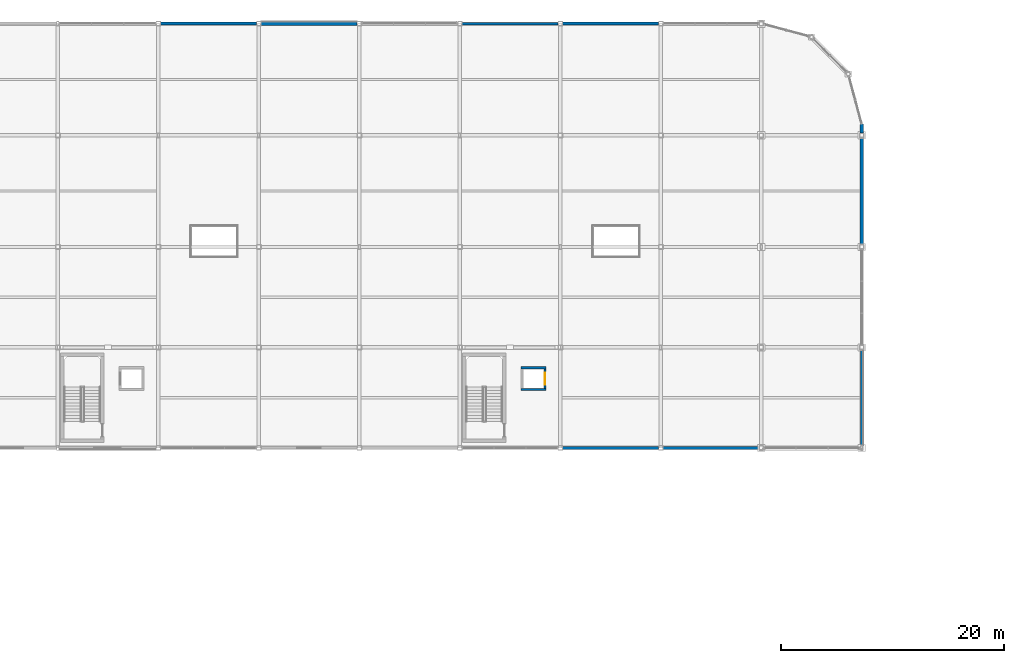
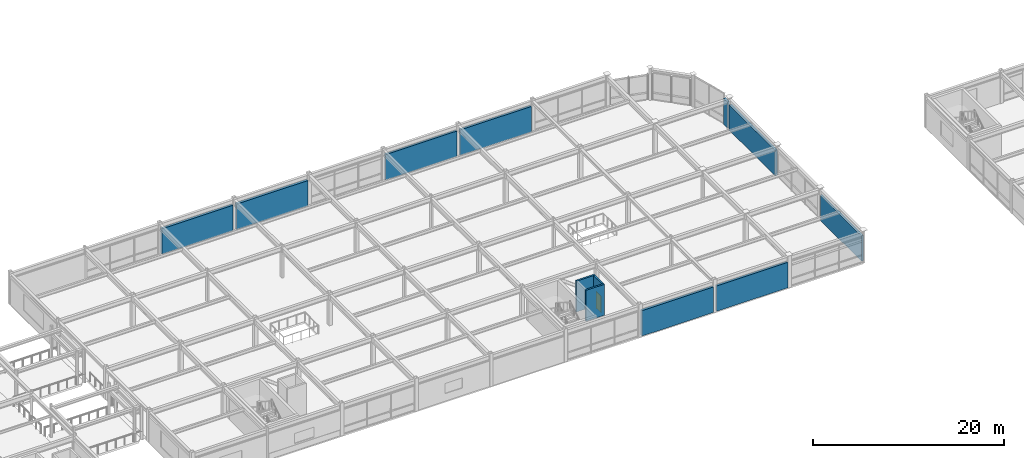
# One storey, part 48 of 70: 12 walls, 1 door, 1 opening.
"""IFC4 building model written with IfcOpenShell, lengths in metres."""

from ifc_helpers import new_model, si_unit, direction, frame, frame_2d, origin, place, context, subcontext, project, spatial, rectangle, extrude, material, layer, layer_set, type_object, element, fill, save


model = new_model("IFC4")

# Units and contexts
model_context = context("Model", 3, precision=1e-05, world=origin(), true_north=direction((0.0, 1.0)))
body_context = subcontext(model_context, "Body", "Model", "MODEL_VIEW")
ifc_project = project(units=[si_unit("LENGTHUNIT", "METRE"), si_unit("AREAUNIT", "SQUARE_METRE"), si_unit("VOLUMEUNIT", "CUBIC_METRE"), si_unit("PLANEANGLEUNIT", "RADIAN"), si_unit("MASSUNIT", "GRAM", prefix="KILO")], contexts=[model_context])

# Site, building, storey
site_placement = place(None, origin())
site = spatial("IfcSite", under=ifc_project, at=site_placement, CompositionType="ELEMENT")
building_placement = place(site_placement, origin())
building = spatial("IfcBuilding", under=site, at=building_placement, Name="Suzunagisa Mobility Hub", CompositionType="ELEMENT")
storey_placement = place(building_placement, frame((0.0, 0.0, 13.5)))
storey = spatial("IfcBuildingStorey", under=building, at=storey_placement, Name="L03", CompositionType="ELEMENT", Elevation=13.5)

# Walls
ifc_material_1 = material(Name="Porcelain-Faced Insulated Concrete C30/37 Wall", Category="concrete")
ifc_layer_1 = layer(ifc_material_1, 0.260009765625)
ifc_layer_set_1 = layer_set([ifc_layer_1], Name="Porcelain-Faced Insulated Concrete C30/37 Wall")
wall_type_1 = type_object("IfcWallType", Name="Exterior Wall EW-03 260mm", PredefinedType="SOLIDWALL", material=ifc_layer_set_1)
wall_1_placement = place(storey_placement, frame((108.199951171875, 80.0, 0.0), z_axis=(0.0, 0.0, 1.0), x_axis=(1.0, 0.0, 0.0)))
element("IfcWall", 1, at=wall_1_placement, inside=storey, type_object=wall_type_1, Name="L03 Exterior Facade Wall EW-214", PredefinedType="SOLIDWALL", context=body_context, shape_type="SweptSolid", body=[
    extrude(rectangle(XDim=8.60009765625, YDim=0.260009765625, at=frame_2d((4.300048828125, 0.0))), origin(), (0.0, 0.0, 1.0), 3.239990234375),
])
wall_2_placement = place(storey_placement, frame((107.800048828125, 118.0, 0.0), z_axis=(0.0, 0.0, 1.0), x_axis=(-1.0, 0.0, 0.0)))
element("IfcWall", 2, at=wall_2_placement, inside=storey, type_object=wall_type_1, Name="L03 Exterior Facade Wall EW-218", PredefinedType="SOLIDWALL", context=body_context, shape_type="SweptSolid", body=[
    extrude(rectangle(XDim=8.60009765625, YDim=0.260009765625, at=frame_2d((4.300048828125, 0.0))), origin(), (0.0, 0.0, 1.0), 3.25),
])
ifc_material_2 = material(Name="Lightweight Insulated Autoclaved Concrete C30/37 Wall", Category="concrete")
ifc_layer_2 = layer(ifc_material_2, 0.239990234375)
ifc_layer_set_2 = layer_set([ifc_layer_2], Name="Lightweight Insulated Autoclaved Concrete C30/37 Wall")
wall_type_2 = type_object("IfcWallType", Name="Exterior Wall EW-04 240mm", PredefinedType="SOLIDWALL", material=ifc_layer_set_2)
wall_3_placement = place(storey_placement, frame((126.0, 80.199951171875, 0.0), z_axis=(0.0, 0.0, 1.0), x_axis=(0.0, 1.0, 0.0)))
element("IfcWall", 3, at=wall_3_placement, inside=storey, type_object=wall_type_2, Name="L03 Exterior Facade Wall EW-215", PredefinedType="SOLIDWALL", context=body_context, shape_type="SweptSolid", body=[
    extrude(rectangle(XDim=8.60009765625, YDim=0.239990234375, at=frame_2d((4.300048828125, 0.0))), origin(), (0.0, 0.0, 1.0), 3.239990234375),
])
wall_4_placement = place(storey_placement, frame((98.800048828125, 118.0, 0.0), z_axis=(0.0, 0.0, 1.0), x_axis=(-1.0, 0.0, 0.0)))
element("IfcWall", 4, at=wall_4_placement, inside=storey, type_object=wall_type_2, Name="L03 Exterior Facade Wall EW-219", PredefinedType="SOLIDWALL", context=body_context, shape_type="SweptSolid", body=[
    extrude(rectangle(XDim=8.60009765625, YDim=0.239990234375, at=frame_2d((4.300048828125, 0.0))), origin(), (0.0, 0.0, 1.0), 3.25),
])
ifc_layer_3 = layer(ifc_material_1, 0.280029296875)
ifc_layer_set_3 = layer_set([ifc_layer_3], Name="Porcelain-Faced Insulated Concrete C30/37 Wall")
wall_type_3 = type_object("IfcWallType", Name="Exterior Wall EW-08 280mm", PredefinedType="SOLIDWALL", material=ifc_layer_set_3)
wall_5_placement = place(storey_placement, frame((99.199951171875, 80.0, 0.0), z_axis=(0.0, 0.0, 1.0), x_axis=(1.0, 0.0, 0.0)))
element("IfcWall", 5, at=wall_5_placement, inside=storey, type_object=wall_type_3, Name="L03 Exterior Facade Wall EW-213", PredefinedType="SOLIDWALL", context=body_context, shape_type="SweptSolid", body=[
    extrude(rectangle(XDim=8.60009765625, YDim=0.280029296875, at=frame_2d((4.300048828125, 0.0))), origin(), (0.0, 0.0, 1.0), 3.25),
])
wall_6_placement = place(storey_placement, frame((126.0, 108.199951171875, 0.0), z_axis=(0.0, 0.0, 1.0), x_axis=(0.0, 1.0, 0.0)))
element("IfcWall", 6, at=wall_6_placement, inside=storey, type_object=wall_type_3, Name="L03 Exterior Facade Wall EW-217", PredefinedType="SOLIDWALL", context=body_context, shape_type="SweptSolid", body=[
    extrude(rectangle(XDim=0.800048828125, YDim=0.280029296875, at=frame_2d((0.39990234375, 0.0))), origin(), (0.0, 0.0, 1.0), 3.35205078125),
])
wall_7_placement = place(storey_placement, frame((71.800048828125, 118.0, 0.0), z_axis=(0.0, 0.0, 1.0), x_axis=(-1.0, 0.0, 0.0)))
element("IfcWall", 7, at=wall_7_placement, inside=storey, type_object=wall_type_3, Name="L03 Exterior Facade Wall EW-221", PredefinedType="SOLIDWALL", context=body_context, shape_type="SweptSolid", body=[
    extrude(rectangle(XDim=8.60009765625, YDim=0.280029296875, at=frame_2d((4.300048828125, 0.0))), origin(), (0.0, 0.0, 1.0), 3.25),
])
ifc_material_3 = material(Name="Insulated Precast Concrete C35/45 Panel", Category="concrete")
ifc_layer_4 = layer(ifc_material_3, 0.300048828125)
ifc_layer_set_4 = layer_set([ifc_layer_4], Name="Insulated Precast Concrete C35/45 Panel")
wall_type_4 = type_object("IfcWallType", Name="Exterior Wall EW-09 300mm", PredefinedType="SOLIDWALL", material=ifc_layer_set_4)
wall_8_placement = place(storey_placement, frame((126.0, 98.199951171875, 0.0), z_axis=(0.0, 0.0, 1.0), x_axis=(0.0, 1.0, 0.0)))
element("IfcWall", 8, at=wall_8_placement, inside=storey, type_object=wall_type_4, Name="L03 Exterior Facade Wall EW-216", PredefinedType="SOLIDWALL", context=body_context, shape_type="SweptSolid", body=[
    extrude(rectangle(XDim=9.60009765625, YDim=0.300048828125, at=frame_2d((4.800048828125, 0.0))), origin(), (0.0, 0.0, 1.0), 3.239990234375),
])
wall_9_placement = place(storey_placement, frame((80.800048828125, 118.0, 0.0), z_axis=(0.0, 0.0, 1.0), x_axis=(-1.0, 0.0, 0.0)))
element("IfcWall", 9, at=wall_9_placement, inside=storey, type_object=wall_type_4, Name="L03 Exterior Facade Wall EW-220", PredefinedType="SOLIDWALL", context=body_context, shape_type="SweptSolid", body=[
    extrude(rectangle(XDim=8.60009765625, YDim=0.300048828125, at=frame_2d((4.300048828125, 0.0))), origin(), (0.0, 0.0, 1.0), 3.25),
])

# Wall, opening, door
ifc_material_4 = material(Name="Fire-Rated Gypsum Stud Partition", Category="gypsum")
ifc_layer_5 = layer(ifc_material_4, 0.2099609375)
ifc_layer_set_5 = layer_set([ifc_layer_5], Name="Fire-Rated Gypsum Stud Partition")
wall_type_5 = type_object("IfcWallType", Name="Interior Wall IW-03 210mm", PredefinedType="PARTITIONING", material=ifc_layer_set_5)
wall_10_placement = place(storey_placement, frame((97.625, 85.330078125, 0.0), z_axis=(0.0, 0.0, 1.0), x_axis=(0.0, 1.0, 0.0)))
wall_10 = element("IfcWall", 10, at=wall_10_placement, inside=storey, type_object=wall_type_5, Name="L03 Lift LF-07 Shaft Front Wall", PredefinedType="PARTITIONING", context=body_context, shape_type="SweptSolid", body=[
    extrude(rectangle(XDim=1.739990234375, YDim=0.2099609375, at=frame_2d((0.8701171875, 0.0))), origin(), (0.0, 0.0, 1.0), 3.93994140625),
])
opening_placement = place(wall_10_placement, frame((0.320068359375, 0.0, 0.0)))
opening = element("IfcOpeningElement", 11, at=opening_placement, cuts=wall_10, Name="Opening LD-01", PredefinedType="OPENING", context=body_context, shape_type="SweptSolid", body=[
    extrude(rectangle(XDim=1.10009765625, YDim=2.14990234375, at=frame_2d((0.550048828125, 1.074951171875))), frame((0.0, 0.115966796875, 0.0), z_axis=(0.0, -1.0, 0.0), x_axis=(1.0, 0.0, 0.0)), (0.0, 0.0, 1.0), 0.23193359375),
])
ifc_material_5 = material(Name="Brushed Stainless Steel SUS304", Category="metal")
door_type = type_object("IfcDoorType", Name="Lift Landing Sliding Door LD-01 1100x2150", OperationType="SLIDING_TO_LEFT", PredefinedType="DOOR", material=ifc_material_5)
door_placement = place(opening_placement, origin())
door = element("IfcDoor", 12, at=door_placement, inside=storey, type_object=door_type, Name="L03 Lift LF-07 Sliding Landing Door", OperationType="SLIDING_TO_LEFT", OverallHeight=2.14990234375, OverallWidth=1.10009765625, PredefinedType="DOOR", context=body_context, shape_type="SweptSolid", body=[
    extrude(rectangle(XDim=1.10009765625, YDim=2.14990234375, at=frame_2d((0.550048828125, 1.074951171875))), frame((0.0, 0.02490234375, 0.0), z_axis=(0.0, -1.0, 0.0), x_axis=(1.0, 0.0, 0.0)), (0.0, 0.0, 1.0), 0.050048828125),
])
fill(opening, door)

# Walls
for number, where, z_axis, x_axis, name in (
    (13, (95.469970703125, 85.22509765625, 0.0), (0.0, 0.0, 1.0), (1.0, 0.0, 0.0), "L03 Lift LF-07 Shaft South Wall"),
    (14, (95.469970703125, 87.175048828125, 0.0), (0.0, 0.0, 1.0), (1.0, 0.0, 0.0), "L03 Lift LF-07 Shaft North Wall"),
):
    element("IfcWall", number, at=place(storey_placement, frame(where, z_axis=z_axis, x_axis=x_axis)), inside=storey, type_object=wall_type_5, Name=name, PredefinedType="PARTITIONING", context=body_context, shape_type="SweptSolid", body=[
        extrude(rectangle(XDim=2.260009765625, YDim=0.2099609375, at=frame_2d((1.1298828125, 0.0))), origin(), (0.0, 0.0, 1.0), 3.93994140625),
    ])

save(model, "model.ifc")
